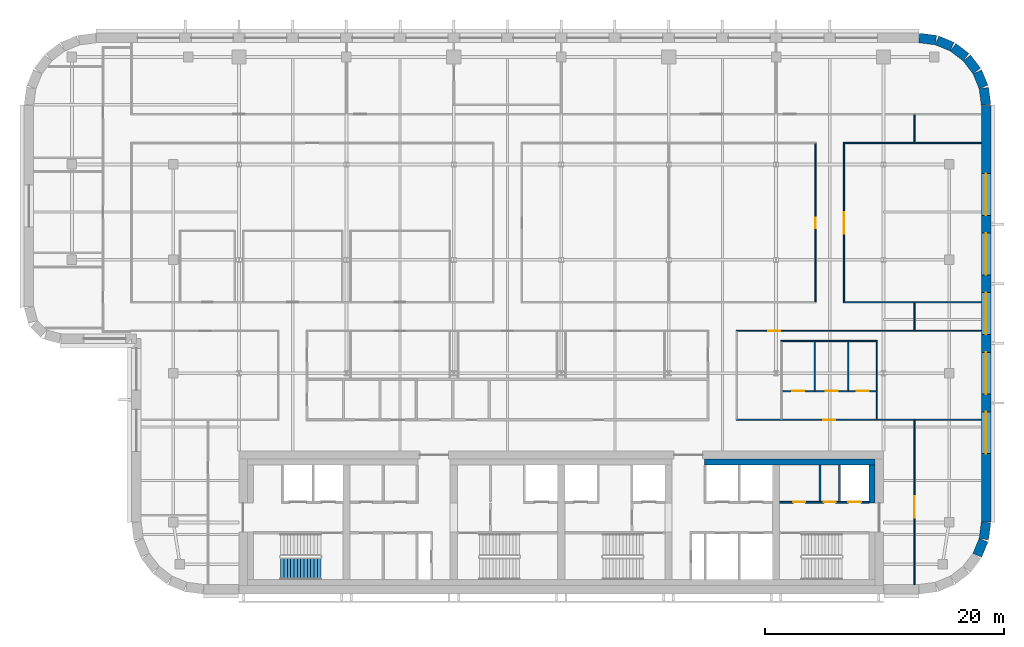
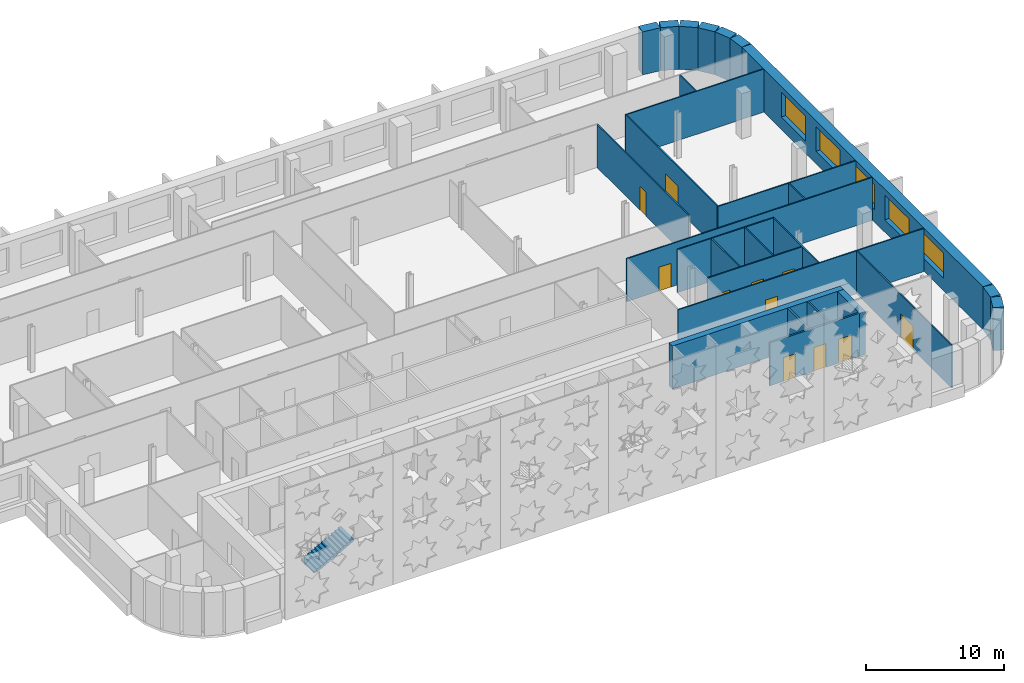
# One storey, part 12 of 18: 28 walls, 11 doors, 5 windows, 1 stair flight, 16 openings, 1 element without a shape of its own.
"""IFC4 building model written with IfcOpenShell, lengths in metres."""

from ifc_helpers import new_model, si_unit, direction, frame, frame_2d, origin, place, context, subcontext, project, spatial, polyline, rectangle, outline, extrude, material, layer, layer_set, type_object, element, fill, aggregate, save


model = new_model("IFC4")

# Units and contexts
model_context = context("Model", 3, precision=1e-05, world=origin(), true_north=direction((0.0, 1.0)))
body_context = subcontext(model_context, "Body", "Model", "MODEL_VIEW")
ifc_project = project(units=[si_unit("LENGTHUNIT", "METRE"), si_unit("AREAUNIT", "SQUARE_METRE"), si_unit("VOLUMEUNIT", "CUBIC_METRE"), si_unit("PLANEANGLEUNIT", "RADIAN"), si_unit("MASSUNIT", "GRAM", prefix="KILO")], contexts=[model_context])

# Site, building, storey
site_placement = place(None, origin())
site = spatial("IfcSite", under=ifc_project, at=site_placement, CompositionType="ELEMENT")
building_placement = place(site_placement, origin())
building = spatial("IfcBuilding", under=site, at=building_placement, Name="Zellij Exchange Tower", CompositionType="ELEMENT")
storey_placement = place(building_placement, frame((0.0, 0.0, 228.5)))
storey = spatial("IfcBuildingStorey", under=building, at=storey_placement, Name="L53", CompositionType="ELEMENT", Elevation=228.5)

# Walls
ifc_material_1 = material(Name="Concrete C30/37", Category="concrete")
ifc_layer_1 = layer(ifc_material_1, 0.5)
ifc_layer_set_1 = layer_set([ifc_layer_1], Name="Concrete C30/37")
wall_type_1 = type_object("IfcWallType", Name="CORE-LW 500 C30/37", PredefinedType="SHEAR", material=ifc_layer_set_1)
wall_1_placement = place(storey_placement, frame((12.0, -2.949951171875, 0.0), z_axis=(0.0, 0.0, 1.0), x_axis=(1.0, 0.0, 0.0)))
element("IfcWall", 1, at=wall_1_placement, inside=storey, type_object=wall_type_1, Name="Core wall lining front.2 L53", PredefinedType="SHEAR", context=body_context, shape_type="SweptSolid", body=[
    extrude(rectangle(XDim=14.300048828125, YDim=0.5, at=frame_2d((7.14990234375, 0.0))), origin(), (0.0, 0.0, 1.0), 3.800048828125),
])
wall_2_placement = place(storey_placement, frame((26.050048828125, -6.375, 0.0), z_axis=(0.0, 0.0, 1.0), x_axis=(0.0, 1.0, 0.0)))
element("IfcWall", 2, at=wall_2_placement, inside=storey, type_object=wall_type_1, Name="Core wall lining end e.1 L53", PredefinedType="SHEAR", context=body_context, shape_type="SweptSolid", body=[
    extrude(rectangle(XDim=3.175048828125, YDim=0.5, at=frame_2d((1.58740234375, 0.0))), origin(), (0.0, 0.0, 1.0), 3.800048828125),
])
ifc_material_2 = material(Name="Gypsum board partition")
ifc_layer_2 = layer(ifc_material_2, 0.14990234375)
ifc_layer_set_2 = layer_set([ifc_layer_2], Name="Gypsum board partition")
wall_type_2 = type_object("IfcWallType", Name="CORE-PW 150 Lift lobby wall", PredefinedType="PARTITIONING", material=ifc_layer_set_2)
wall_3_placement = place(storey_placement, frame((21.675048828125, -6.22509765625, 0.0), z_axis=(0.0, 0.0, 1.0), x_axis=(0.0, 1.0, 0.0)))
element("IfcWall", 3, at=wall_3_placement, inside=storey, type_object=wall_type_2, Name="Lift lobby wall L53", PredefinedType="PARTITIONING", context=body_context, shape_type="SweptSolid", body=[
    extrude(rectangle(XDim=3.025146484375, YDim=0.14990234375, at=frame_2d((1.5126953125, 0.0))), origin(), (0.0, 0.0, 1.0), 3.800048828125),
])
ifc_material_3 = material(Name="Gypsum shaft wall system")
ifc_layer_3 = layer(ifc_material_3, 0.14990234375)
ifc_layer_set_3 = layer_set([ifc_layer_3], Name="Gypsum shaft wall system")
wall_type_3 = type_object("IfcWallType", Name="CORE-PW 150 Lift shaft wall", PredefinedType="PARTITIONING", material=ifc_layer_set_3)
wall_4_placement = place(storey_placement, frame((23.324951171875, -6.22509765625, 0.0), z_axis=(0.0, 0.0, 1.0), x_axis=(0.0, 1.0, 0.0)))
element("IfcWall", 4, at=wall_4_placement, inside=storey, type_object=wall_type_3, Name="Lift shaft wall L53", PredefinedType="PARTITIONING", context=body_context, shape_type="SweptSolid", body=[
    extrude(rectangle(XDim=3.025146484375, YDim=0.14990234375, at=frame_2d((1.5126953125, 0.0))), origin(), (0.0, 0.0, 1.0), 3.800048828125),
])

# Wall, openings, doors
wall_5_placement = place(storey_placement, frame((18.300048828125, -6.300048828125, 0.0), z_axis=(0.0, 0.0, 1.0), x_axis=(1.0, 0.0, 0.0)))
wall_5 = element("IfcWall", 5, at=wall_5_placement, inside=storey, type_object=wall_type_3, Name="Lift shaft wall L53", PredefinedType="PARTITIONING", context=body_context, shape_type="SweptSolid", body=[
    extrude(rectangle(XDim=7.5, YDim=0.14990234375, at=frame_2d((3.75, 0.0))), origin(), (0.0, 0.0, 1.0), 3.800048828125),
])
opening_1_placement = place(wall_5_placement, frame((1.14990234375, 0.0, 0.0)))
opening_1 = element("IfcOpeningElement", 6, at=opening_1_placement, cuts=wall_5, Name="Opening CA-28.25", PredefinedType="OPENING", context=body_context, shape_type="SweptSolid", body=[
    extrude(rectangle(XDim=1.0, YDim=2.10009765625, at=frame_2d((0.5, 1.050048828125))), frame((0.0, 0.0869140625, 0.0), z_axis=(0.0, -1.0, 0.0), x_axis=(1.0, 0.0, 0.0)), (0.0, 0.0, 1.0), 0.173828125),
])
opening_2_placement = place(wall_5_placement, frame((3.699951171875, 0.0, 0.0)))
opening_2 = element("IfcOpeningElement", 7, at=opening_2_placement, cuts=wall_5, Name="Opening CA-28.26", PredefinedType="OPENING", context=body_context, shape_type="SweptSolid", body=[
    extrude(rectangle(XDim=1.0, YDim=2.10009765625, at=frame_2d((0.5, 1.050048828125))), frame((0.0, 0.0869140625, 0.0), z_axis=(0.0, -1.0, 0.0), x_axis=(1.0, 0.0, 0.0)), (0.0, 0.0, 1.0), 0.173828125),
])
opening_3_placement = place(wall_5_placement, frame((5.75, 0.0, 0.0)))
opening_3 = element("IfcOpeningElement", 8, at=opening_3_placement, cuts=wall_5, Name="Opening CA-28.27", PredefinedType="OPENING", context=body_context, shape_type="SweptSolid", body=[
    extrude(rectangle(XDim=1.10009765625, YDim=2.10009765625, at=frame_2d((0.550048828125, 1.050048828125))), frame((0.0, 0.0869140625, 0.0), z_axis=(0.0, -1.0, 0.0), x_axis=(1.0, 0.0, 0.0)), (0.0, 0.0, 1.0), 0.173828125),
])
ifc_material_4 = material(Name="Hollow metal fire door")
door_type_1 = type_object("IfcDoorType", Name="CORE-D CD Core room door 1000x2100 1 HR", OperationType="NOTDEFINED", PredefinedType="DOOR", material=ifc_material_4)
door_1_placement = place(opening_1_placement, origin())
door_1 = element("IfcDoor", 9, at=door_1_placement, inside=storey, type_object=door_type_1, Name="Core room door CA-28.25", OperationType="SINGLE_SWING_LEFT", OverallHeight=2.10009765625, OverallWidth=1.0, PredefinedType="DOOR", context=body_context, shape_type="SweptSolid", body=[
    extrude(rectangle(XDim=1.0, YDim=2.10009765625, at=frame_2d((0.5, 1.050048828125))), frame((0.0, 0.02490234375, 0.0), z_axis=(0.0, -1.0, 0.0), x_axis=(1.0, 0.0, 0.0)), (0.0, 0.0, 1.0), 0.050048828125),
])
fill(opening_1, door_1)
door_2_placement = place(opening_2_placement, origin())
door_2 = element("IfcDoor", 10, at=door_2_placement, inside=storey, type_object=door_type_1, Name="Core room door CA-28.26", OperationType="SINGLE_SWING_RIGHT", OverallHeight=2.10009765625, OverallWidth=1.0, PredefinedType="DOOR", context=body_context, shape_type="SweptSolid", body=[
    extrude(rectangle(XDim=1.0, YDim=2.10009765625, at=frame_2d((0.5, 1.050048828125))), frame((0.0, 0.02490234375, 0.0), z_axis=(0.0, -1.0, 0.0), x_axis=(1.0, 0.0, 0.0)), (0.0, 0.0, 1.0), 0.050048828125),
])
fill(opening_2, door_2)
door_type_2 = type_object("IfcDoorType", Name="CORE-D LD Lift landing door 1100x2100 1.5 HR", OperationType="NOTDEFINED", PredefinedType="DOOR", material=ifc_material_4)
door_3_placement = place(opening_3_placement, origin())
door_3 = element("IfcDoor", 11, at=door_3_placement, inside=storey, type_object=door_type_2, Name="Lift landing door CA-28.27", OperationType="SLIDING_TO_LEFT", OverallHeight=2.10009765625, OverallWidth=1.10009765625, PredefinedType="DOOR", context=body_context, shape_type="SweptSolid", body=[
    extrude(rectangle(XDim=1.10009765625, YDim=2.10009765625, at=frame_2d((0.550048828125, 1.050048828125))), frame((0.0, 0.02490234375, 0.0), z_axis=(0.0, -1.0, 0.0), x_axis=(1.0, 0.0, 0.0)), (0.0, 0.0, 1.0), 0.050048828125),
])
fill(opening_3, door_3)

# Walls
ifc_material_5 = material(Name="Precast concrete C40/50", Category="concrete")
ifc_layer_4 = layer(ifc_material_5, 0.800048828125)
ifc_layer_set_4 = layer_set([ifc_layer_4], Name="Precast concrete C40/50")
wall_type_4 = type_object("IfcWallType", Name="ENV-EW1 Precast stone-piered wall 800", PredefinedType="SOLIDWALL", material=ifc_layer_set_4)
wall_6_placement = place(storey_placement, frame((34.866943359375, -10.74951171875, 0.0), z_axis=(0.0, 0.0, 1.0), x_axis=(0.38276009378, 0.923847774587, 0.0)))
element("IfcWall", 12, at=wall_6_placement, inside=storey, type_object=wall_type_4, Name="fac.L53.05", PredefinedType="SOLIDWALL", context=body_context, shape_type="SweptSolid", body=[
    extrude(rectangle(XDim=1.35546875, YDim=0.800048828125, at=frame_2d((0.677734375, 0.0))), origin(), (0.0, 0.0, 1.0), 3.800048828125),
])
wall_7_placement = place(storey_placement, frame((35.412841796875, -9.396240234375, 0.0), z_axis=(0.0, 0.0, 1.0), x_axis=(0.130517283865, 0.99144603414, 0.0)))
element("IfcWall", 13, at=wall_7_placement, inside=storey, type_object=wall_type_4, Name="fac.L53.06", PredefinedType="SOLIDWALL", context=body_context, shape_type="SweptSolid", body=[
    extrude(rectangle(XDim=1.408447265625, YDim=0.800048828125, at=frame_2d((0.7041015625, 0.0))), origin(), (0.0, 0.0, 1.0), 3.800048828125),
])

# Wall, openings, windows
wall_8_placement = place(storey_placement, frame((35.60009765625, -7.947509765625, 0.0), z_axis=(0.0, 0.0, 1.0), x_axis=(0.0, 1.0, 0.0)))
wall_8 = element("IfcWall", 14, at=wall_8_placement, inside=storey, type_object=wall_type_4, Name="fac.L53.07", PredefinedType="SOLIDWALL", context=body_context, shape_type="SweptSolid", body=[
    extrude(rectangle(XDim=34.89501953125, YDim=0.800048828125, at=frame_2d((17.447509765625, 0.0))), origin(), (0.0, 0.0, 1.0), 3.800048828125),
])
opening_4_placement = place(wall_8_placement, frame((5.71240234375, 0.0, 1.10009765625)))
opening_4 = element("IfcOpeningElement", 15, at=opening_4_placement, cuts=wall_8, Name="Opening FZ4.01", PredefinedType="OPENING", context=body_context, shape_type="SweptSolid", body=[
    extrude(rectangle(XDim=3.5, YDim=2.199951171875, at=frame_2d((1.75, 1.10009765625))), frame((0.0, 0.412109375, 0.0), z_axis=(0.0, -1.0, 0.0), x_axis=(1.0, 0.0, 0.0)), (0.0, 0.0, 1.0), 0.823974609375),
])
opening_5_placement = place(wall_8_placement, frame((10.705078125, 0.0, 1.10009765625)))
opening_5 = element("IfcOpeningElement", 16, at=opening_5_placement, cuts=wall_8, Name="Opening FZ4.02", PredefinedType="OPENING", context=body_context, shape_type="SweptSolid", body=[
    extrude(rectangle(XDim=3.5, YDim=2.199951171875, at=frame_2d((1.75, 1.10009765625))), frame((0.0, 0.412109375, 0.0), z_axis=(0.0, -1.0, 0.0), x_axis=(1.0, 0.0, 0.0)), (0.0, 0.0, 1.0), 0.823974609375),
])
opening_6_placement = place(wall_8_placement, frame((15.697509765625, 0.0, 1.10009765625)))
opening_6 = element("IfcOpeningElement", 17, at=opening_6_placement, cuts=wall_8, Name="Opening FZ4.03", PredefinedType="OPENING", context=body_context, shape_type="SweptSolid", body=[
    extrude(rectangle(XDim=3.5, YDim=2.199951171875, at=frame_2d((1.75, 1.10009765625))), frame((0.0, 0.412109375, 0.0), z_axis=(0.0, -1.0, 0.0), x_axis=(1.0, 0.0, 0.0)), (0.0, 0.0, 1.0), 0.823974609375),
])
opening_7_placement = place(wall_8_placement, frame((20.690185546875, 0.0, 1.10009765625)))
opening_7 = element("IfcOpeningElement", 18, at=opening_7_placement, cuts=wall_8, Name="Opening FZ4.04", PredefinedType="OPENING", context=body_context, shape_type="SweptSolid", body=[
    extrude(rectangle(XDim=3.5, YDim=2.199951171875, at=frame_2d((1.75, 1.10009765625))), frame((0.0, 0.412109375, 0.0), z_axis=(0.0, -1.0, 0.0), x_axis=(1.0, 0.0, 0.0)), (0.0, 0.0, 1.0), 0.823974609375),
])
opening_8_placement = place(wall_8_placement, frame((25.6826171875, 0.0, 1.10009765625)))
opening_8 = element("IfcOpeningElement", 19, at=opening_8_placement, cuts=wall_8, Name="Opening FZ4.05", PredefinedType="OPENING", context=body_context, shape_type="SweptSolid", body=[
    extrude(rectangle(XDim=3.5, YDim=2.199951171875, at=frame_2d((1.75, 1.10009765625))), frame((0.0, 0.412109375, 0.0), z_axis=(0.0, -1.0, 0.0), x_axis=(1.0, 0.0, 0.0)), (0.0, 0.0, 1.0), 0.823974609375),
])
ifc_material_6 = material(Name="Aluminium frame with insulating glass", Category="aluminium")
window_type = type_object("IfcWindowType", Name="ENV-W7 Window 3500x2200", PartitioningType="SINGLE_PANEL", PredefinedType="WINDOW", material=ifc_material_6)
window_1_placement = place(opening_4_placement, origin())
window_1 = element("IfcWindow", 20, at=window_1_placement, inside=storey, type_object=window_type, Name="Window FZ4.01", OverallHeight=2.199951171875, OverallWidth=3.5, PartitioningType="SINGLE_PANEL", PredefinedType="WINDOW", context=body_context, shape_type="SweptSolid", body=[
    extrude(rectangle(XDim=3.5, YDim=2.199951171875, at=frame_2d((1.75, 1.10009765625))), frame((0.0, 0.030029296875, 0.0), z_axis=(0.0, -1.0, 0.0), x_axis=(1.0, 0.0, 0.0)), (0.0, 0.0, 1.0), 0.06005859375),
])
fill(opening_4, window_1)
window_2_placement = place(opening_5_placement, origin())
window_2 = element("IfcWindow", 21, at=window_2_placement, inside=storey, type_object=window_type, Name="Window FZ4.02", OverallHeight=2.199951171875, OverallWidth=3.5, PartitioningType="SINGLE_PANEL", PredefinedType="WINDOW", context=body_context, shape_type="SweptSolid", body=[
    extrude(rectangle(XDim=3.5, YDim=2.199951171875, at=frame_2d((1.75, 1.10009765625))), frame((0.0, 0.030029296875, 0.0), z_axis=(0.0, -1.0, 0.0), x_axis=(1.0, 0.0, 0.0)), (0.0, 0.0, 1.0), 0.06005859375),
])
fill(opening_5, window_2)
window_3_placement = place(opening_6_placement, origin())
window_3 = element("IfcWindow", 22, at=window_3_placement, inside=storey, type_object=window_type, Name="Window FZ4.03", OverallHeight=2.199951171875, OverallWidth=3.5, PartitioningType="SINGLE_PANEL", PredefinedType="WINDOW", context=body_context, shape_type="SweptSolid", body=[
    extrude(rectangle(XDim=3.5, YDim=2.199951171875, at=frame_2d((1.75, 1.10009765625))), frame((0.0, 0.030029296875, 0.0), z_axis=(0.0, -1.0, 0.0), x_axis=(1.0, 0.0, 0.0)), (0.0, 0.0, 1.0), 0.06005859375),
])
fill(opening_6, window_3)
window_4_placement = place(opening_7_placement, origin())
window_4 = element("IfcWindow", 23, at=window_4_placement, inside=storey, type_object=window_type, Name="Window FZ4.04", OverallHeight=2.199951171875, OverallWidth=3.5, PartitioningType="SINGLE_PANEL", PredefinedType="WINDOW", context=body_context, shape_type="SweptSolid", body=[
    extrude(rectangle(XDim=3.5, YDim=2.199951171875, at=frame_2d((1.75, 1.10009765625))), frame((0.0, 0.030029296875, 0.0), z_axis=(0.0, -1.0, 0.0), x_axis=(1.0, 0.0, 0.0)), (0.0, 0.0, 1.0), 0.06005859375),
])
fill(opening_7, window_4)
window_5_placement = place(opening_8_placement, origin())
window_5 = element("IfcWindow", 24, at=window_5_placement, inside=storey, type_object=window_type, Name="Window FZ4.05", OverallHeight=2.199951171875, OverallWidth=3.5, PartitioningType="SINGLE_PANEL", PredefinedType="WINDOW", context=body_context, shape_type="SweptSolid", body=[
    extrude(rectangle(XDim=3.5, YDim=2.199951171875, at=frame_2d((1.75, 1.10009765625))), frame((0.0, 0.030029296875, 0.0), z_axis=(0.0, -1.0, 0.0), x_axis=(1.0, 0.0, 0.0)), (0.0, 0.0, 1.0), 0.06005859375),
])
fill(opening_8, window_5)

# Walls
wall_9_placement = place(storey_placement, frame((35.5966796875, 26.999755859375, 0.0), z_axis=(0.0, 0.0, 1.0), x_axis=(-0.130517283865, 0.99144603414, 0.0)))
element("IfcWall", 25, at=wall_9_placement, inside=storey, type_object=wall_type_4, Name="fac.L53.08", PredefinedType="SOLIDWALL", context=body_context, shape_type="SweptSolid", body=[
    extrude(rectangle(XDim=1.408447265625, YDim=0.800048828125, at=frame_2d((0.7041015625, 0.0))), origin(), (0.0, 0.0, 1.0), 3.800048828125),
])
wall_10_placement = place(storey_placement, frame((35.3857421875, 28.497314453125, 0.0), z_axis=(0.0, 0.0, 1.0), x_axis=(-0.38276009378, 0.923847774587, 0.0)))
element("IfcWall", 26, at=wall_10_placement, inside=storey, type_object=wall_type_4, Name="fac.L53.09", PredefinedType="SOLIDWALL", context=body_context, shape_type="SweptSolid", body=[
    extrude(rectangle(XDim=1.35546875, YDim=0.800048828125, at=frame_2d((0.677734375, 0.0))), origin(), (0.0, 0.0, 1.0), 3.800048828125),
])
for number, where, z_axis, x_axis, name in (
    (27, (34.814697265625, 29.840087890625, 0.0), (0.0, 0.0, 1.0), (-0.608866226366, 0.793272915452, 0.0), "fac.L53.10"),
    (28, (33.91552734375, 30.9892578125, 0.0), (0.0, 0.0, 1.0), (-0.793272915452, 0.608866226366, 0.0), "fac.L53.11"),
):
    element("IfcWall", number, at=place(storey_placement, frame(where, z_axis=z_axis, x_axis=x_axis)), inside=storey, type_object=wall_type_4, Name=name, PredefinedType="SOLIDWALL", context=body_context, shape_type="SweptSolid", body=[
        extrude(rectangle(XDim=1.355712890625, YDim=0.800048828125, at=frame_2d((0.677734375, 0.0))), origin(), (0.0, 0.0, 1.0), 3.800048828125),
    ])
wall_11_placement = place(storey_placement, frame((32.74951171875, 31.866943359375, 0.0), z_axis=(0.0, 0.0, 1.0), x_axis=(-0.923847774587, 0.38276009378, 0.0)))
element("IfcWall", 29, at=wall_11_placement, inside=storey, type_object=wall_type_4, Name="fac.L53.12", PredefinedType="SOLIDWALL", context=body_context, shape_type="SweptSolid", body=[
    extrude(rectangle(XDim=1.35546875, YDim=0.800048828125, at=frame_2d((0.677734375, 0.0))), origin(), (0.0, 0.0, 1.0), 3.800048828125),
])
wall_12_placement = place(storey_placement, frame((31.396240234375, 32.412841796875, 0.0), z_axis=(0.0, 0.0, 1.0), x_axis=(-0.99144603414, 0.130517283865, 0.0)))
element("IfcWall", 30, at=wall_12_placement, inside=storey, type_object=wall_type_4, Name="fac.L53.13", PredefinedType="SOLIDWALL", context=body_context, shape_type="SweptSolid", body=[
    extrude(rectangle(XDim=1.408447265625, YDim=0.800048828125, at=frame_2d((0.7041015625, 0.0))), origin(), (0.0, 0.0, 1.0), 3.800048828125),
])

# Wall, opening, door
ifc_material_7 = material(Name="Gypsum board partition on steel studs", Category="steel")
ifc_layer_5 = layer(ifc_material_7, 0.10009765625)
ifc_layer_set_5 = layer_set([ifc_layer_5], Name="Gypsum board partition on steel studs")
wall_type_5 = type_object("IfcWallType", Name="FIT-PARTITION-100", PredefinedType="PARTITIONING", material=ifc_layer_set_5)
wall_13_placement = place(storey_placement, frame((29.60009765625, -13.199951171875, 0.0), z_axis=(0.0, 0.0, 1.0), x_axis=(0.0, 1.0, 0.0)))
wall_13 = element("IfcWall", 31, at=wall_13_placement, inside=storey, type_object=wall_type_5, Name="FIT-PARTITION-100 002", PredefinedType="PARTITIONING", context=body_context, shape_type="SweptSolid", body=[
    extrude(rectangle(XDim=13.75, YDim=0.10009765625, at=frame_2d((6.875, 0.0))), origin(), (0.0, 0.0, 1.0), 3.800048828125),
])
opening_9_placement = place(wall_13_placement, frame((5.60009765625, 0.0, 0.0)))
opening_9 = element("IfcOpeningElement", 32, at=opening_9_placement, cuts=wall_13, Name="Opening O4B.01", PredefinedType="OPENING", context=body_context, shape_type="SweptSolid", body=[
    extrude(rectangle(XDim=1.800048828125, YDim=2.10009765625, at=frame_2d((0.89990234375, 1.050048828125))), frame((0.0, 0.06201171875, 0.0), z_axis=(0.0, -1.0, 0.0), x_axis=(1.0, 0.0, 0.0)), (0.0, 0.0, 1.0), 0.1240234375),
])
ifc_material_8 = material(Name="Timber door set", Category="wood")
door_type_3 = type_object("IfcDoorType", Name="FIT-D3-DOUBLE-1800X2100", OperationType="DOUBLE_DOOR_SINGLE_SWING", PredefinedType="DOOR", material=ifc_material_8)
door_4_placement = place(opening_9_placement, origin())
door_4 = element("IfcDoor", 33, at=door_4_placement, inside=storey, type_object=door_type_3, Name="Door O4B.01", OperationType="DOUBLE_DOOR_SINGLE_SWING", OverallHeight=2.10009765625, OverallWidth=1.800048828125, PredefinedType="DOOR", context=body_context, shape_type="SweptSolid", body=[
    extrude(rectangle(XDim=1.800048828125, YDim=2.10009765625, at=frame_2d((0.89990234375, 1.050048828125))), frame((0.0, 0.02490234375, 0.0), z_axis=(0.0, -1.0, 0.0), x_axis=(1.0, 0.0, 0.0)), (0.0, 0.0, 1.0), 0.050048828125),
])
fill(opening_9, door_4)

wall_14_placement = place(storey_placement, frame((14.64990234375, 0.60009765625, 0.0), z_axis=(0.0, 0.0, 1.0), x_axis=(1.0, 0.0, 0.0)))
wall_14 = element("IfcWall", 34, at=wall_14_placement, inside=storey, type_object=wall_type_5, Name="FIT-PARTITION-100 015", PredefinedType="PARTITIONING", context=body_context, shape_type="SweptSolid", body=[
    extrude(rectangle(XDim=20.550048828125, YDim=0.10009765625, at=frame_2d((10.27490234375, 0.0))), origin(), (0.0, 0.0, 1.0), 3.800048828125),
])
opening_10_placement = place(wall_14_placement, frame((7.300048828125, 0.0, 0.0)))
opening_10 = element("IfcOpeningElement", 35, at=opening_10_placement, cuts=wall_14, Name="Opening O4B.08", PredefinedType="OPENING", context=body_context, shape_type="SweptSolid", body=[
    extrude(rectangle(XDim=1.0, YDim=2.10009765625, at=frame_2d((0.5, 1.050048828125))), frame((0.0, 0.06201171875, 0.0), z_axis=(0.0, -1.0, 0.0), x_axis=(1.0, 0.0, 0.0)), (0.0, 0.0, 1.0), 0.1240234375),
])
door_type_4 = type_object("IfcDoorType", Name="FIT-D2-WIDE-1000X2100", OperationType="SINGLE_SWING_LEFT", PredefinedType="DOOR", material=ifc_material_8)
door_5_placement = place(opening_10_placement, origin())
door_5 = element("IfcDoor", 36, at=door_5_placement, inside=storey, type_object=door_type_4, Name="Door O4B.08", OperationType="SINGLE_SWING_RIGHT", OverallHeight=2.10009765625, OverallWidth=1.0, PredefinedType="DOOR", context=body_context, shape_type="SweptSolid", body=[
    extrude(rectangle(XDim=1.0, YDim=2.10009765625, at=frame_2d((0.5, 1.050048828125))), frame((0.0, 0.02490234375, 0.0), z_axis=(0.0, -1.0, 0.0), x_axis=(1.0, 0.0, 0.0)), (0.0, 0.0, 1.0), 0.050048828125),
])
fill(opening_10, door_5)

# Wall
wall_15_placement = place(storey_placement, frame((26.449951171875, 0.64990234375, 0.0), z_axis=(0.0, 0.0, 1.0), x_axis=(0.0, 1.0, 0.0)))
element("IfcWall", 37, at=wall_15_placement, inside=storey, type_object=wall_type_5, Name="FIT-PARTITION-100 018", PredefinedType="PARTITIONING", context=body_context, shape_type="SweptSolid", body=[
    extrude(rectangle(XDim=6.5, YDim=0.10009765625, at=frame_2d((3.25, 0.0))), origin(), (0.0, 0.0, 1.0), 3.800048828125),
])

# Wall, openings, doors
wall_16_placement = place(storey_placement, frame((18.5, 3.0, 0.0), z_axis=(0.0, 0.0, 1.0), x_axis=(1.0, 0.0, 0.0)))
wall_16 = element("IfcWall", 38, at=wall_16_placement, inside=storey, type_object=wall_type_5, Name="FIT-PARTITION-100 019", PredefinedType="PARTITIONING", context=body_context, shape_type="SweptSolid", body=[
    extrude(rectangle(XDim=7.89990234375, YDim=0.10009765625, at=frame_2d((3.949951171875, 0.0))), origin(), (0.0, 0.0, 1.0), 3.800048828125),
])
opening_11_placement = place(wall_16_placement, frame((0.85009765625, 0.0, 0.0)))
opening_11 = element("IfcOpeningElement", 39, at=opening_11_placement, cuts=wall_16, Name="Opening O4B.10", PredefinedType="OPENING", context=body_context, shape_type="SweptSolid", body=[
    extrude(rectangle(XDim=1.0, YDim=2.10009765625, at=frame_2d((0.5, 1.050048828125))), frame((0.0, 0.06201171875, 0.0), z_axis=(0.0, -1.0, 0.0), x_axis=(1.0, 0.0, 0.0)), (0.0, 0.0, 1.0), 0.1240234375),
])
opening_12_placement = place(wall_16_placement, frame((3.64990234375, 0.0, 0.0)))
opening_12 = element("IfcOpeningElement", 40, at=opening_12_placement, cuts=wall_16, Name="Opening O4B.11", PredefinedType="OPENING", context=body_context, shape_type="SweptSolid", body=[
    extrude(rectangle(XDim=1.0, YDim=2.10009765625, at=frame_2d((0.5, 1.050048828125))), frame((0.0, 0.06201171875, 0.0), z_axis=(0.0, -1.0, 0.0), x_axis=(1.0, 0.0, 0.0)), (0.0, 0.0, 1.0), 0.1240234375),
])
opening_13_placement = place(wall_16_placement, frame((6.25, 0.0, 0.0)))
opening_13 = element("IfcOpeningElement", 41, at=opening_13_placement, cuts=wall_16, Name="Opening O4B.12", PredefinedType="OPENING", context=body_context, shape_type="SweptSolid", body=[
    extrude(rectangle(XDim=1.0, YDim=2.10009765625, at=frame_2d((0.5, 1.050048828125))), frame((0.0, 0.06201171875, 0.0), z_axis=(0.0, -1.0, 0.0), x_axis=(1.0, 0.0, 0.0)), (0.0, 0.0, 1.0), 0.1240234375),
])
door_6_placement = place(opening_11_placement, origin())
door_6 = element("IfcDoor", 42, at=door_6_placement, inside=storey, type_object=door_type_4, Name="Door O4B.10", OperationType="SINGLE_SWING_LEFT", OverallHeight=2.10009765625, OverallWidth=1.0, PredefinedType="DOOR", context=body_context, shape_type="SweptSolid", body=[
    extrude(rectangle(XDim=1.0, YDim=2.10009765625, at=frame_2d((0.5, 1.050048828125))), frame((0.0, 0.02490234375, 0.0), z_axis=(0.0, -1.0, 0.0), x_axis=(1.0, 0.0, 0.0)), (0.0, 0.0, 1.0), 0.050048828125),
])
fill(opening_11, door_6)
door_7_placement = place(opening_12_placement, origin())
door_7 = element("IfcDoor", 43, at=door_7_placement, inside=storey, type_object=door_type_4, Name="Door O4B.11", OperationType="SINGLE_SWING_RIGHT", OverallHeight=2.10009765625, OverallWidth=1.0, PredefinedType="DOOR", context=body_context, shape_type="SweptSolid", body=[
    extrude(rectangle(XDim=1.0, YDim=2.10009765625, at=frame_2d((0.5, 1.050048828125))), frame((0.0, 0.02490234375, 0.0), z_axis=(0.0, -1.0, 0.0), x_axis=(1.0, 0.0, 0.0)), (0.0, 0.0, 1.0), 0.050048828125),
])
fill(opening_12, door_7)
door_8_placement = place(opening_13_placement, origin())
door_8 = element("IfcDoor", 44, at=door_8_placement, inside=storey, type_object=door_type_4, Name="Door O4B.12", OperationType="SINGLE_SWING_RIGHT", OverallHeight=2.10009765625, OverallWidth=1.0, PredefinedType="DOOR", context=body_context, shape_type="SweptSolid", body=[
    extrude(rectangle(XDim=1.0, YDim=2.10009765625, at=frame_2d((0.5, 1.050048828125))), frame((0.0, 0.02490234375, 0.0), z_axis=(0.0, -1.0, 0.0), x_axis=(1.0, 0.0, 0.0)), (0.0, 0.0, 1.0), 0.050048828125),
])
fill(opening_13, door_8)

# Walls
for number, where, z_axis, x_axis, name in (
    (45, (21.25, 3.050048828125, 0.0), (0.0, 0.0, 1.0), (0.0, 1.0, 0.0), "FIT-PARTITION-100 020"),
    (46, (24.050048828125, 3.050048828125, 0.0), (0.0, 0.0, 1.0), (0.0, 1.0, 0.0), "FIT-PARTITION-100 021"),
):
    element("IfcWall", number, at=place(storey_placement, frame(where, z_axis=z_axis, x_axis=x_axis)), inside=storey, type_object=wall_type_5, Name=name, PredefinedType="PARTITIONING", context=body_context, shape_type="SweptSolid", body=[
        extrude(rectangle(XDim=4.099853515625, YDim=0.10009765625, at=frame_2d((2.0498046875, 0.0))), origin(), (0.0, 0.0, 1.0), 3.800048828125),
    ])
wall_17_placement = place(storey_placement, frame((18.39990234375, 7.199951171875, 0.0), z_axis=(0.0, 0.0, 1.0), x_axis=(1.0, 0.0, 0.0)))
element("IfcWall", 47, at=wall_17_placement, inside=storey, type_object=wall_type_5, Name="FIT-PARTITION-100 032", PredefinedType="PARTITIONING", context=body_context, shape_type="SweptSolid", body=[
    extrude(rectangle(XDim=8.10009765625, YDim=0.10009765625, at=frame_2d((4.050048828125, 0.0))), origin(), (0.0, 0.0, 1.0), 3.800048828125),
])

# Wall, opening, door
wall_18_placement = place(storey_placement, frame((14.64990234375, 8.050048828125, 0.0), z_axis=(0.0, 0.0, 1.0), x_axis=(1.0, 0.0, 0.0)))
wall_18 = element("IfcWall", 48, at=wall_18_placement, inside=storey, type_object=wall_type_5, Name="FIT-PARTITION-100 037", PredefinedType="PARTITIONING", context=body_context, shape_type="SweptSolid", body=[
    extrude(rectangle(XDim=20.550048828125, YDim=0.10009765625, at=frame_2d((10.27490234375, 0.0))), origin(), (0.0, 0.0, 1.0), 3.800048828125),
])
opening_14_placement = place(wall_18_placement, frame((2.699951171875, 0.0, 0.0)))
opening_14 = element("IfcOpeningElement", 49, at=opening_14_placement, cuts=wall_18, Name="Opening O4B.19", PredefinedType="OPENING", context=body_context, shape_type="SweptSolid", body=[
    extrude(rectangle(XDim=1.0, YDim=2.10009765625, at=frame_2d((0.5, 1.050048828125))), frame((0.0, 0.06201171875, 0.0), z_axis=(0.0, -1.0, 0.0), x_axis=(1.0, 0.0, 0.0)), (0.0, 0.0, 1.0), 0.1240234375),
])
door_9_placement = place(opening_14_placement, origin())
door_9 = element("IfcDoor", 50, at=door_9_placement, inside=storey, type_object=door_type_4, Name="Door O4B.19", OperationType="SINGLE_SWING_LEFT", OverallHeight=2.10009765625, OverallWidth=1.0, PredefinedType="DOOR", context=body_context, shape_type="SweptSolid", body=[
    extrude(rectangle(XDim=1.0, YDim=2.10009765625, at=frame_2d((0.5, 1.050048828125))), frame((0.0, 0.02490234375, 0.0), z_axis=(0.0, -1.0, 0.0), x_axis=(1.0, 0.0, 0.0)), (0.0, 0.0, 1.0), 0.050048828125),
])
fill(opening_14, door_9)

# Wall
wall_19_placement = place(storey_placement, frame((29.60009765625, 8.10009765625, 0.0), z_axis=(0.0, 0.0, 1.0), x_axis=(0.0, 1.0, 0.0)))
element("IfcWall", 51, at=wall_19_placement, inside=storey, type_object=wall_type_5, Name="FIT-PARTITION-100 038", PredefinedType="PARTITIONING", context=body_context, shape_type="SweptSolid", body=[
    extrude(rectangle(XDim=2.2998046875, YDim=0.10009765625, at=frame_2d((1.14990234375, 0.0))), origin(), (0.0, 0.0, 1.0), 3.800048828125),
])

# Wall, opening, door
wall_20_placement = place(storey_placement, frame((21.300048828125, 10.5, 0.0), z_axis=(0.0, 0.0, 1.0), x_axis=(0.0, 1.0, 0.0)))
wall_20 = element("IfcWall", 52, at=wall_20_placement, inside=storey, type_object=wall_type_5, Name="FIT-PARTITION-100 054", PredefinedType="PARTITIONING", context=body_context, shape_type="SweptSolid", body=[
    extrude(rectangle(XDim=13.25, YDim=0.10009765625, at=frame_2d((6.625, 0.0))), origin(), (0.0, 0.0, 1.0), 3.800048828125),
])
opening_15_placement = place(wall_20_placement, frame((6.14990234375, 0.0, 0.0)))
opening_15 = element("IfcOpeningElement", 53, at=opening_15_placement, cuts=wall_20, Name="Opening O4B.25", PredefinedType="OPENING", context=body_context, shape_type="SweptSolid", body=[
    extrude(rectangle(XDim=0.89990234375, YDim=2.10009765625, at=frame_2d((0.449951171875, 1.050048828125))), frame((0.0, 0.06201171875, 0.0), z_axis=(0.0, -1.0, 0.0), x_axis=(1.0, 0.0, 0.0)), (0.0, 0.0, 1.0), 0.1240234375),
])
door_type_5 = type_object("IfcDoorType", Name="FIT-D1-ROOM-900X2100", OperationType="SINGLE_SWING_LEFT", PredefinedType="DOOR", material=ifc_material_8)
door_10_placement = place(opening_15_placement, origin())
door_10 = element("IfcDoor", 54, at=door_10_placement, inside=storey, type_object=door_type_5, Name="Door O4B.25", OperationType="SINGLE_SWING_RIGHT", OverallHeight=2.10009765625, OverallWidth=0.89990234375, PredefinedType="DOOR", context=body_context, shape_type="SweptSolid", body=[
    extrude(rectangle(XDim=0.89990234375, YDim=2.10009765625, at=frame_2d((0.449951171875, 1.050048828125))), frame((0.0, 0.02490234375, 0.0), z_axis=(0.0, -1.0, 0.0), x_axis=(1.0, 0.0, 0.0)), (0.0, 0.0, 1.0), 0.050048828125),
])
fill(opening_15, door_10)

# Wall
wall_21_placement = place(storey_placement, frame((23.64990234375, 10.449951171875, 0.0), z_axis=(0.0, 0.0, 1.0), x_axis=(1.0, 0.0, 0.0)))
element("IfcWall", 55, at=wall_21_placement, inside=storey, type_object=wall_type_5, Name="FIT-PARTITION-100 055", PredefinedType="PARTITIONING", context=body_context, shape_type="SweptSolid", body=[
    extrude(rectangle(XDim=11.550048828125, YDim=0.10009765625, at=frame_2d((5.77490234375, 0.0))), origin(), (0.0, 0.0, 1.0), 3.800048828125),
])

# Wall, opening, door
wall_22_placement = place(storey_placement, frame((23.699951171875, 10.5, 0.0), z_axis=(0.0, 0.0, 1.0), x_axis=(0.0, 1.0, 0.0)))
wall_22 = element("IfcWall", 56, at=wall_22_placement, inside=storey, type_object=wall_type_5, Name="FIT-PARTITION-100 056", PredefinedType="PARTITIONING", context=body_context, shape_type="SweptSolid", body=[
    extrude(rectangle(XDim=13.25, YDim=0.10009765625, at=frame_2d((6.625, 0.0))), origin(), (0.0, 0.0, 1.0), 3.800048828125),
])
opening_16_placement = place(wall_22_placement, frame((5.699951171875, 0.0, 0.0)))
opening_16 = element("IfcOpeningElement", 57, at=opening_16_placement, cuts=wall_22, Name="Opening O4B.26", PredefinedType="OPENING", context=body_context, shape_type="SweptSolid", body=[
    extrude(rectangle(XDim=1.800048828125, YDim=2.10009765625, at=frame_2d((0.89990234375, 1.050048828125))), frame((0.0, 0.06201171875, 0.0), z_axis=(0.0, -1.0, 0.0), x_axis=(1.0, 0.0, 0.0)), (0.0, 0.0, 1.0), 0.1240234375),
])
door_11_placement = place(opening_16_placement, origin())
door_11 = element("IfcDoor", 58, at=door_11_placement, inside=storey, type_object=door_type_3, Name="Door O4B.26", OperationType="DOUBLE_DOOR_SINGLE_SWING", OverallHeight=2.10009765625, OverallWidth=1.800048828125, PredefinedType="DOOR", context=body_context, shape_type="SweptSolid", body=[
    extrude(rectangle(XDim=1.800048828125, YDim=2.10009765625, at=frame_2d((0.89990234375, 1.050048828125))), frame((0.0, 0.02490234375, 0.0), z_axis=(0.0, -1.0, 0.0), x_axis=(1.0, 0.0, 0.0)), (0.0, 0.0, 1.0), 0.050048828125),
])
fill(opening_16, door_11)

# Walls
wall_23_placement = place(storey_placement, frame((23.64990234375, 23.800048828125, 0.0), z_axis=(0.0, 0.0, 1.0), x_axis=(1.0, 0.0, 0.0)))
element("IfcWall", 59, at=wall_23_placement, inside=storey, type_object=wall_type_5, Name="FIT-PARTITION-100 066", PredefinedType="PARTITIONING", context=body_context, shape_type="SweptSolid", body=[
    extrude(rectangle(XDim=11.550048828125, YDim=0.10009765625, at=frame_2d((5.77490234375, 0.0))), origin(), (0.0, 0.0, 1.0), 3.800048828125),
])
wall_24_placement = place(storey_placement, frame((29.60009765625, 23.85009765625, 0.0), z_axis=(0.0, 0.0, 1.0), x_axis=(0.0, 1.0, 0.0)))
element("IfcWall", 60, at=wall_24_placement, inside=storey, type_object=wall_type_5, Name="FIT-PARTITION-100 067", PredefinedType="PARTITIONING", context=body_context, shape_type="SweptSolid", body=[
    extrude(rectangle(XDim=2.2998046875, YDim=0.10009765625, at=frame_2d((1.14990234375, 0.0))), origin(), (0.0, 0.0, 1.0), 3.800048828125),
])

# Stair, stair flight
ifc_material_9 = material(Name="Concrete C40/50", Category="concrete")
stair_type = type_object("IfcStairType", Name="CORE-ST exit stair 1850 wide", PredefinedType="HALF_TURN_STAIR", material=ifc_material_9)
stair_placement = place(storey_placement, origin())
stair = element("IfcStair", 61, at=stair_placement, inside=storey, type_object=stair_type, Name="L53 exit stair ST1", PredefinedType="HALF_TURN_STAIR")
stair_flight_type = type_object("IfcStairFlightType", Name="CORE-SF flight 1850 riser 153.8 going 280", PredefinedType="STRAIGHT", material=ifc_material_9)
stair_flight_placement = place(storey_placement, frame((-23.510009765625, -11.875, 2.0), z_axis=(0.0, 0.0, 1.0), x_axis=(1.0, 0.0, 0.0)))
stair_flight = element("IfcStairFlight", 62, at=stair_flight_placement, type_object=stair_flight_type, Name="ST1 flight 2", NumberOfRisers=13, NumberOfTreads=12, PredefinedType="STRAIGHT", RiserHeight=0.153846154, TreadLength=0.28, context=body_context, shape_type="SweptSolid", body=[
    extrude(outline(polyline([(0.0, 0.0), (0.0, 0.15380859375), (0.280029296875, 0.15380859375), (0.280029296875, 0.3076171875), (0.56005859375, 0.3076171875), (0.56005859375, 0.46142578125), (0.840087890625, 0.46142578125), (0.840087890625, 0.615478515625), (1.1201171875, 0.615478515625), (1.1201171875, 0.769287109375), (1.39990234375, 0.769287109375), (1.39990234375, 0.923095703125), (1.679931640625, 0.923095703125), (1.679931640625, 1.076904296875), (1.9599609375, 1.076904296875), (1.9599609375, 1.230712890625), (2.239990234375, 1.230712890625), (2.239990234375, 1.384521484375), (2.52001953125, 1.384521484375), (2.52001953125, 1.53857421875), (2.800048828125, 1.53857421875), (2.800048828125, 1.6923828125), (3.080078125, 1.6923828125), (3.080078125, 1.84619140625), (3.360107421875, 1.84619140625), (3.360107421875, 2.0), (3.360107421875, 1.675048828125), (0.311279296875, 0.0), (0.0, 0.0)])), frame((0.0, 0.925048828125, 0.0), z_axis=(0.0, -1.0, 0.0), x_axis=(1.0, 0.0, 0.0)), (0.0, 0.0, 1.0), 1.85009765625),
])
aggregate(stair, [stair_flight])

save(model, "model.ifc")
